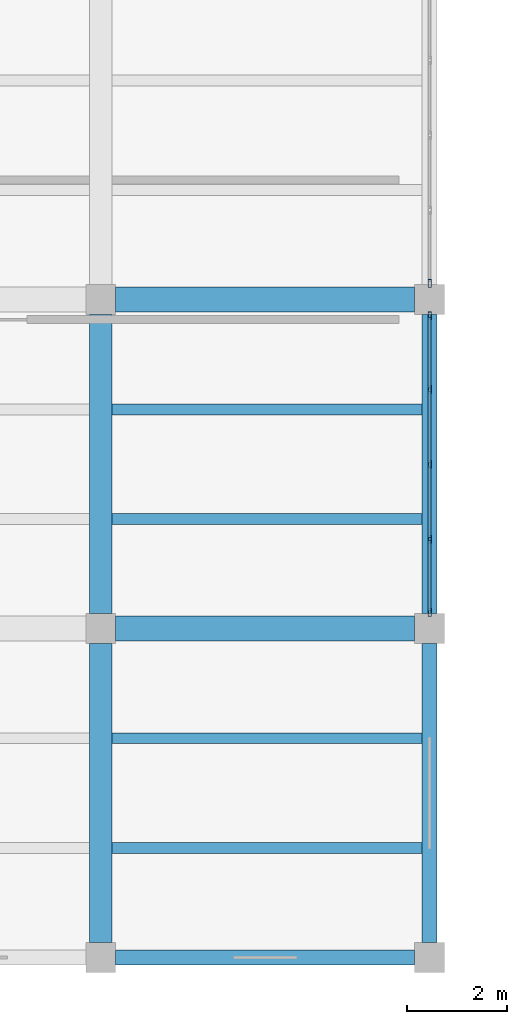
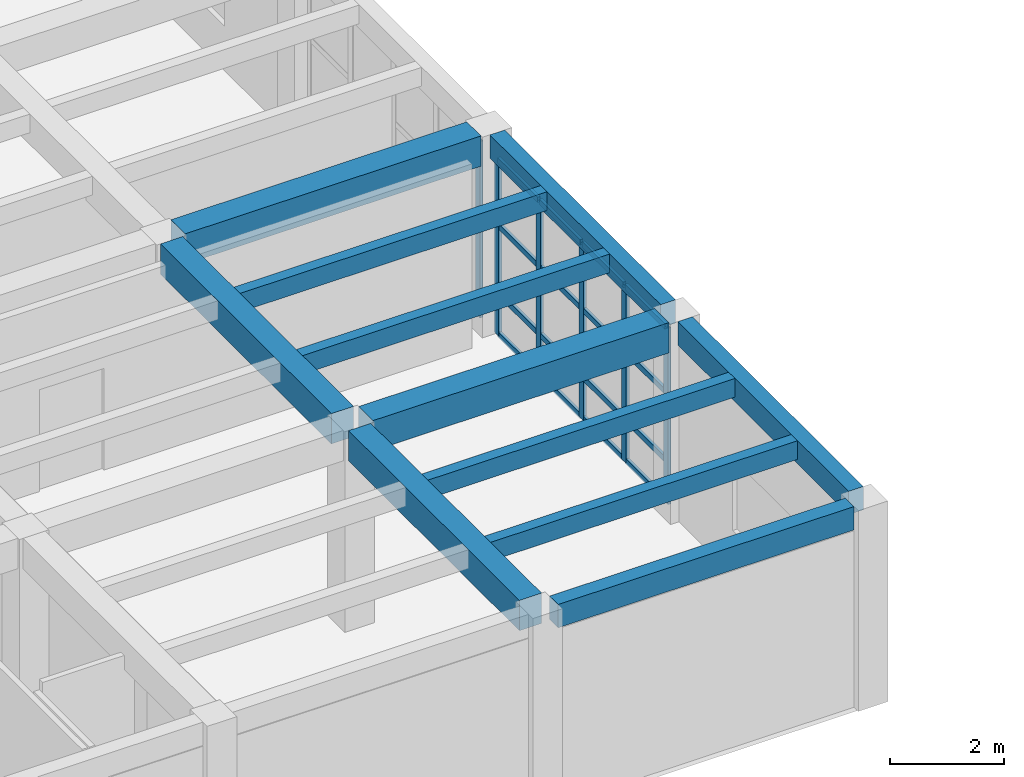
# One storey, part 15 of 80: 22 members, 11 beams, 2 elements without a shape of their own.
"""IFC4 building model written with IfcOpenShell, lengths in metres."""

from ifc_helpers import new_model, si_unit, direction, frame, origin, origin_2d, place, context, subcontext, project, spatial, rectangle, hollow_rectangle, extrude, material, layer, layer_set, material_profile, profile_set, type_object, element, aggregate, save


model = new_model("IFC4")

# Units and contexts
model_context = context("Model", 3, precision=1e-05, world=origin(), true_north=direction((0.0, 1.0)))
body_context = subcontext(model_context, "Body", "Model", "MODEL_VIEW")
ifc_project = project(units=[si_unit("LENGTHUNIT", "METRE"), si_unit("AREAUNIT", "SQUARE_METRE"), si_unit("VOLUMEUNIT", "CUBIC_METRE"), si_unit("PLANEANGLEUNIT", "RADIAN"), si_unit("MASSUNIT", "GRAM", prefix="KILO")], contexts=[model_context])

# Site, building, storey
site_placement = place(None, origin())
site = spatial("IfcSite", under=ifc_project, at=site_placement, CompositionType="ELEMENT")
building_placement = place(site_placement, origin())
building = spatial("IfcBuilding", under=site, at=building_placement, Name="Kharisveld Research Institute", CompositionType="ELEMENT")
storey_placement = place(building_placement, frame((0.0, 0.0, 5.10009765625)))
storey = spatial("IfcBuildingStorey", under=building, at=storey_placement, Name="L01", CompositionType="ELEMENT", Elevation=5.10009765625)

# Beams
ifc_material_1 = material(Name="Concrete C40/50", Category="concrete")
ifc_material_profile_1 = material_profile(ifc_material_1, rectangle(XDim=0.449951171875, YDim=0.64990234375, at=origin_2d()))
ifc_profile_set_1 = profile_set([ifc_material_profile_1], Name="Concrete C40/50")
beam_type_1 = type_object("IfcBeamType", Name="BM_RC_450x650", PredefinedType="BEAM", material=ifc_profile_set_1)
for number, where, z_axis, x_axis, name in (
    (1, (33.60009765625, 0.5, 3.974853515625), (0.0, 1.0, 0.0), (-1.0, 0.0, 0.0), "BM:V3:L01:V5_0"),
    (2, (33.60009765625, 7.10009765625, 3.974853515625), (0.0, 1.0, 0.0), (-1.0, 0.0, 0.0), "BM:V3:L01:V5_1"),
):
    element("IfcBeam", number, at=place(storey_placement, frame(where, z_axis=z_axis, x_axis=x_axis)), inside=storey, type_object=beam_type_1, Name=name, PredefinedType="BEAM", context=body_context, shape_type="SweptSolid", body=[
        extrude(rectangle(XDim=0.449951171875, YDim=0.64990234375, at=origin_2d()), origin(), (0.0, 0.0, 1.0), 6.0),
    ])
ifc_material_2 = material(Name="Concrete C40/50", Category="concrete")
ifc_material_profile_2 = material_profile(ifc_material_2, rectangle(XDim=0.5, YDim=0.64990234375, at=origin_2d()))
ifc_profile_set_2 = profile_set([ifc_material_profile_2], Name="Concrete C40/50")
beam_type_2 = type_object("IfcBeamType", Name="BM_RC_500x650", PredefinedType="BEAM", material=ifc_profile_set_2)
for number, where, z_axis, x_axis, name in (
    (3, (33.89990234375, 6.800048828125, 3.974853515625), (1.0, 0.0, 0.0), (0.0, 1.0, 0.0), "BM:V3:L01:U5_1"),
    (4, (33.89990234375, 13.39990234375, 3.974853515625), (1.0, 0.0, 0.0), (0.0, 1.0, 0.0), "BM:V3:L01:U5_2"),
):
    element("IfcBeam", number, at=place(storey_placement, frame(where, z_axis=z_axis, x_axis=x_axis)), inside=storey, type_object=beam_type_2, Name=name, PredefinedType="BEAM", context=body_context, shape_type="SweptSolid", body=[
        extrude(rectangle(XDim=0.5, YDim=0.64990234375, at=origin_2d()), origin(), (0.0, 0.0, 1.0), 6.0),
    ])

# Curtain wall, member
ifc_material_3 = material(Name="Thermally Broken Aluminium Curtain Wall", Category="aluminium")
ifc_layer_1 = layer(ifc_material_3, 0.159912109375)
ifc_layer_set_1 = layer_set([ifc_layer_1], Name="CW_SYS_03")
curtain_wall_type_1 = type_object("IfcCurtainWallType", Name="CW_SYS_03", PredefinedType="NOTDEFINED", material=ifc_layer_set_1)
curtain_wall_1_placement = place(storey_placement, origin())
curtain_wall_1 = element("IfcCurtainWall", 5, at=curtain_wall_1_placement, inside=storey, type_object=curtain_wall_type_1, Name="CW:V3:L01:E3", PredefinedType="NOTDEFINED")
ifc_material_4 = material(Name="Anodised Aluminium AW-6063-T6", Category="aluminium")
ifc_material_profile_3 = material_profile(ifc_material_4, hollow_rectangle(XDim=0.06494140625, YDim=0.159912109375, WallThickness=0.00390625, at=origin_2d()))
ifc_profile_set_3 = profile_set([ifc_material_profile_3], Name="Anodised Aluminium AW-6063-T6")
member_type_1 = type_object("IfcMemberType", Name="CW_MUL_160", PredefinedType="MULLION", material=ifc_profile_set_3)
member_1_placement = place(storey_placement, frame((40.199951171875, 13.7275390625, 0.0), z_axis=(0.0, 0.0, 1.0), x_axis=(1.0, 0.0, 0.0)))
member_1 = element("IfcMember", 6, at=member_1_placement, type_object=member_type_1, Name="CW-03 mullion 5", PredefinedType="MULLION", context=body_context, shape_type="SweptSolid", body=[
    extrude(hollow_rectangle(XDim=0.06494140625, YDim=0.159912109375, WallThickness=0.00390625, at=origin_2d()), origin(), (0.0, 0.0, 1.0), 3.77978515625),
])
aggregate(curtain_wall_1, [member_1])

# Curtain wall, members
ifc_material_5 = material(Name="Thermally Broken Aluminium Curtain Wall", Category="aluminium")
ifc_layer_2 = layer(ifc_material_5, 0.159912109375)
ifc_layer_set_2 = layer_set([ifc_layer_2], Name="CW_SYS_04")
curtain_wall_type_2 = type_object("IfcCurtainWallType", Name="CW_SYS_04", PredefinedType="NOTDEFINED", material=ifc_layer_set_2)
curtain_wall_2_placement = place(storey_placement, origin())
curtain_wall_2 = element("IfcCurtainWall", 7, at=curtain_wall_2_placement, inside=storey, type_object=curtain_wall_type_2, Name="CW:V3:L01:E2", PredefinedType="NOTDEFINED")
member_2_placement = place(storey_placement, frame((40.199951171875, 13.072509765625, 0.0), z_axis=(0.0, 0.0, 1.0), x_axis=(1.0, 0.0, 0.0)))
member_2 = element("IfcMember", 8, at=member_2_placement, type_object=member_type_1, Name="CW-04 mullion 1", PredefinedType="MULLION", context=body_context, shape_type="SweptSolid", body=[
    extrude(hollow_rectangle(XDim=0.06494140625, YDim=0.159912109375, WallThickness=0.00390625, at=origin_2d()), origin(), (0.0, 0.0, 1.0), 3.77978515625),
])
member_3_placement = place(storey_placement, frame((40.199951171875, 11.6025390625, 0.0), z_axis=(0.0, 0.0, 1.0), x_axis=(1.0, 0.0, 0.0)))
member_3 = element("IfcMember", 9, at=member_3_placement, type_object=member_type_1, Name="CW-04 mullion 2", PredefinedType="MULLION", context=body_context, shape_type="SweptSolid", body=[
    extrude(hollow_rectangle(XDim=0.06494140625, YDim=0.159912109375, WallThickness=0.00390625, at=origin_2d()), origin(), (0.0, 0.0, 1.0), 3.77978515625),
])
member_4_placement = place(storey_placement, frame((40.199951171875, 10.10009765625, 0.0), z_axis=(0.0, 0.0, 1.0), x_axis=(1.0, 0.0, 0.0)))
member_4 = element("IfcMember", 10, at=member_4_placement, type_object=member_type_1, Name="CW-04 mullion 3", PredefinedType="MULLION", context=body_context, shape_type="SweptSolid", body=[
    extrude(hollow_rectangle(XDim=0.06494140625, YDim=0.159912109375, WallThickness=0.00390625, at=origin_2d()), origin(), (0.0, 0.0, 1.0), 3.77978515625),
])
member_5_placement = place(storey_placement, frame((40.199951171875, 8.597412109375, 0.0), z_axis=(0.0, 0.0, 1.0), x_axis=(1.0, 0.0, 0.0)))
member_5 = element("IfcMember", 11, at=member_5_placement, type_object=member_type_1, Name="CW-04 mullion 4", PredefinedType="MULLION", context=body_context, shape_type="SweptSolid", body=[
    extrude(hollow_rectangle(XDim=0.06494140625, YDim=0.159912109375, WallThickness=0.00390625, at=origin_2d()), origin(), (0.0, 0.0, 1.0), 3.77978515625),
])
member_6_placement = place(storey_placement, frame((40.199951171875, 7.12744140625, 0.0), z_axis=(0.0, 0.0, 1.0), x_axis=(1.0, 0.0, 0.0)))
member_6 = element("IfcMember", 12, at=member_6_placement, type_object=member_type_1, Name="CW-04 mullion 5", PredefinedType="MULLION", context=body_context, shape_type="SweptSolid", body=[
    extrude(hollow_rectangle(XDim=0.06494140625, YDim=0.159912109375, WallThickness=0.00390625, at=origin_2d()), origin(), (0.0, 0.0, 1.0), 3.77978515625),
])
ifc_material_6 = material(Name="Anodised Aluminium AW-6063-T6", Category="aluminium")
ifc_material_profile_4 = material_profile(ifc_material_6, hollow_rectangle(XDim=0.06005859375, YDim=0.1201171875, WallThickness=0.00390625, at=origin_2d()))
ifc_profile_set_4 = profile_set([ifc_material_profile_4], Name="Anodised Aluminium AW-6063-T6")
member_type_2 = type_object("IfcMemberType", Name="CW_TRN_120", PredefinedType="USERDEFINED", material=ifc_profile_set_4)
member_7_placement = place(storey_placement, frame((40.199951171875, 13.0400390625, 0.02978515625), z_axis=(0.0, -1.0, 0.0), x_axis=(1.0, 0.0, 0.0)))
member_7 = element("IfcMember", 13, at=member_7_placement, type_object=member_type_2, Name="CW-04 transom 1.1", ObjectType="TRANSOM", PredefinedType="USERDEFINED", context=body_context, shape_type="SweptSolid", body=[
    extrude(hollow_rectangle(XDim=0.06005859375, YDim=0.1201171875, WallThickness=0.00390625, at=origin_2d()), origin(), (0.0, 0.0, 1.0), 1.405029296875),
])
member_8_placement = place(storey_placement, frame((40.199951171875, 13.0400390625, 0.89990234375), z_axis=(0.0, -1.0, 0.0), x_axis=(1.0, 0.0, 0.0)))
member_8 = element("IfcMember", 14, at=member_8_placement, type_object=member_type_2, Name="CW-04 transom 1.2", ObjectType="TRANSOM", PredefinedType="USERDEFINED", context=body_context, shape_type="SweptSolid", body=[
    extrude(hollow_rectangle(XDim=0.06005859375, YDim=0.1201171875, WallThickness=0.00390625, at=origin_2d()), origin(), (0.0, 0.0, 1.0), 1.405029296875),
])
member_9_placement = place(storey_placement, frame((40.199951171875, 13.0400390625, 2.349853515625), z_axis=(0.0, -1.0, 0.0), x_axis=(1.0, 0.0, 0.0)))
member_9 = element("IfcMember", 15, at=member_9_placement, type_object=member_type_2, Name="CW-04 transom 1.3", ObjectType="TRANSOM", PredefinedType="USERDEFINED", context=body_context, shape_type="SweptSolid", body=[
    extrude(hollow_rectangle(XDim=0.06005859375, YDim=0.1201171875, WallThickness=0.00390625, at=origin_2d()), origin(), (0.0, 0.0, 1.0), 1.405029296875),
])
member_10_placement = place(storey_placement, frame((40.199951171875, 13.0400390625, 3.75), z_axis=(0.0, -1.0, 0.0), x_axis=(1.0, 0.0, 0.0)))
member_10 = element("IfcMember", 16, at=member_10_placement, type_object=member_type_2, Name="CW-04 transom 1.4", ObjectType="TRANSOM", PredefinedType="USERDEFINED", context=body_context, shape_type="SweptSolid", body=[
    extrude(hollow_rectangle(XDim=0.06005859375, YDim=0.1201171875, WallThickness=0.00390625, at=origin_2d()), origin(), (0.0, 0.0, 1.0), 1.405029296875),
])
member_11_placement = place(storey_placement, frame((40.199951171875, 11.570068359375, 0.02978515625), z_axis=(0.0, -1.0, 0.0), x_axis=(1.0, 0.0, 0.0)))
member_11 = element("IfcMember", 17, at=member_11_placement, type_object=member_type_2, Name="CW-04 transom 2.1", ObjectType="TRANSOM", PredefinedType="USERDEFINED", context=body_context, shape_type="SweptSolid", body=[
    extrude(hollow_rectangle(XDim=0.06005859375, YDim=0.1201171875, WallThickness=0.00390625, at=origin_2d()), origin(), (0.0, 0.0, 1.0), 1.4375),
])
member_12_placement = place(storey_placement, frame((40.199951171875, 11.570068359375, 0.89990234375), z_axis=(0.0, -1.0, 0.0), x_axis=(1.0, 0.0, 0.0)))
member_12 = element("IfcMember", 18, at=member_12_placement, type_object=member_type_2, Name="CW-04 transom 2.2", ObjectType="TRANSOM", PredefinedType="USERDEFINED", context=body_context, shape_type="SweptSolid", body=[
    extrude(hollow_rectangle(XDim=0.06005859375, YDim=0.1201171875, WallThickness=0.00390625, at=origin_2d()), origin(), (0.0, 0.0, 1.0), 1.4375),
])
member_13_placement = place(storey_placement, frame((40.199951171875, 11.570068359375, 2.349853515625), z_axis=(0.0, -1.0, 0.0), x_axis=(1.0, 0.0, 0.0)))
member_13 = element("IfcMember", 19, at=member_13_placement, type_object=member_type_2, Name="CW-04 transom 2.3", ObjectType="TRANSOM", PredefinedType="USERDEFINED", context=body_context, shape_type="SweptSolid", body=[
    extrude(hollow_rectangle(XDim=0.06005859375, YDim=0.1201171875, WallThickness=0.00390625, at=origin_2d()), origin(), (0.0, 0.0, 1.0), 1.4375),
])
member_14_placement = place(storey_placement, frame((40.199951171875, 11.570068359375, 3.75), z_axis=(0.0, -1.0, 0.0), x_axis=(1.0, 0.0, 0.0)))
member_14 = element("IfcMember", 20, at=member_14_placement, type_object=member_type_2, Name="CW-04 transom 2.4", ObjectType="TRANSOM", PredefinedType="USERDEFINED", context=body_context, shape_type="SweptSolid", body=[
    extrude(hollow_rectangle(XDim=0.06005859375, YDim=0.1201171875, WallThickness=0.00390625, at=origin_2d()), origin(), (0.0, 0.0, 1.0), 1.4375),
])
member_15_placement = place(storey_placement, frame((40.199951171875, 10.0673828125, 0.02978515625), z_axis=(0.0, -1.0, 0.0), x_axis=(1.0, 0.0, 0.0)))
member_15 = element("IfcMember", 21, at=member_15_placement, type_object=member_type_2, Name="CW-04 transom 3.1", ObjectType="TRANSOM", PredefinedType="USERDEFINED", context=body_context, shape_type="SweptSolid", body=[
    extrude(hollow_rectangle(XDim=0.06005859375, YDim=0.1201171875, WallThickness=0.00390625, at=origin_2d()), origin(), (0.0, 0.0, 1.0), 1.4375),
])
member_16_placement = place(storey_placement, frame((40.199951171875, 10.0673828125, 0.89990234375), z_axis=(0.0, -1.0, 0.0), x_axis=(1.0, 0.0, 0.0)))
member_16 = element("IfcMember", 22, at=member_16_placement, type_object=member_type_2, Name="CW-04 transom 3.2", ObjectType="TRANSOM", PredefinedType="USERDEFINED", context=body_context, shape_type="SweptSolid", body=[
    extrude(hollow_rectangle(XDim=0.06005859375, YDim=0.1201171875, WallThickness=0.00390625, at=origin_2d()), origin(), (0.0, 0.0, 1.0), 1.4375),
])
member_17_placement = place(storey_placement, frame((40.199951171875, 10.0673828125, 2.349853515625), z_axis=(0.0, -1.0, 0.0), x_axis=(1.0, 0.0, 0.0)))
member_17 = element("IfcMember", 23, at=member_17_placement, type_object=member_type_2, Name="CW-04 transom 3.3", ObjectType="TRANSOM", PredefinedType="USERDEFINED", context=body_context, shape_type="SweptSolid", body=[
    extrude(hollow_rectangle(XDim=0.06005859375, YDim=0.1201171875, WallThickness=0.00390625, at=origin_2d()), origin(), (0.0, 0.0, 1.0), 1.4375),
])
member_18_placement = place(storey_placement, frame((40.199951171875, 10.0673828125, 3.75), z_axis=(0.0, -1.0, 0.0), x_axis=(1.0, 0.0, 0.0)))
member_18 = element("IfcMember", 24, at=member_18_placement, type_object=member_type_2, Name="CW-04 transom 3.4", ObjectType="TRANSOM", PredefinedType="USERDEFINED", context=body_context, shape_type="SweptSolid", body=[
    extrude(hollow_rectangle(XDim=0.06005859375, YDim=0.1201171875, WallThickness=0.00390625, at=origin_2d()), origin(), (0.0, 0.0, 1.0), 1.4375),
])
member_19_placement = place(storey_placement, frame((40.199951171875, 8.56494140625, 0.02978515625), z_axis=(0.0, -1.0, 0.0), x_axis=(1.0, 0.0, 0.0)))
member_19 = element("IfcMember", 25, at=member_19_placement, type_object=member_type_2, Name="CW-04 transom 4.1", ObjectType="TRANSOM", PredefinedType="USERDEFINED", context=body_context, shape_type="SweptSolid", body=[
    extrude(hollow_rectangle(XDim=0.06005859375, YDim=0.1201171875, WallThickness=0.00390625, at=origin_2d()), origin(), (0.0, 0.0, 1.0), 1.405029296875),
])
member_20_placement = place(storey_placement, frame((40.199951171875, 8.56494140625, 0.89990234375), z_axis=(0.0, -1.0, 0.0), x_axis=(1.0, 0.0, 0.0)))
member_20 = element("IfcMember", 26, at=member_20_placement, type_object=member_type_2, Name="CW-04 transom 4.2", ObjectType="TRANSOM", PredefinedType="USERDEFINED", context=body_context, shape_type="SweptSolid", body=[
    extrude(hollow_rectangle(XDim=0.06005859375, YDim=0.1201171875, WallThickness=0.00390625, at=origin_2d()), origin(), (0.0, 0.0, 1.0), 1.405029296875),
])
member_21_placement = place(storey_placement, frame((40.199951171875, 8.56494140625, 2.349853515625), z_axis=(0.0, -1.0, 0.0), x_axis=(1.0, 0.0, 0.0)))
member_21 = element("IfcMember", 27, at=member_21_placement, type_object=member_type_2, Name="CW-04 transom 4.3", ObjectType="TRANSOM", PredefinedType="USERDEFINED", context=body_context, shape_type="SweptSolid", body=[
    extrude(hollow_rectangle(XDim=0.06005859375, YDim=0.1201171875, WallThickness=0.00390625, at=origin_2d()), origin(), (0.0, 0.0, 1.0), 1.405029296875),
])
member_22_placement = place(storey_placement, frame((40.199951171875, 8.56494140625, 3.75), z_axis=(0.0, -1.0, 0.0), x_axis=(1.0, 0.0, 0.0)))
member_22 = element("IfcMember", 28, at=member_22_placement, type_object=member_type_2, Name="CW-04 transom 4.4", ObjectType="TRANSOM", PredefinedType="USERDEFINED", context=body_context, shape_type="SweptSolid", body=[
    extrude(hollow_rectangle(XDim=0.06005859375, YDim=0.1201171875, WallThickness=0.00390625, at=origin_2d()), origin(), (0.0, 0.0, 1.0), 1.405029296875),
])
aggregate(curtain_wall_2, [member_2, member_3, member_4, member_5, member_6, member_7, member_8, member_9, member_10, member_11, member_12, member_13, member_14, member_15, member_16, member_17, member_18, member_19, member_20, member_21, member_22])

# Beams
ifc_material_7 = material(Name="Concrete C40/50", Category="concrete")
ifc_material_profile_5 = material_profile(ifc_material_7, rectangle(XDim=0.300048828125, YDim=0.5, at=origin_2d()))
ifc_profile_set_5 = profile_set([ifc_material_profile_5], Name="Concrete C40/50")
beam_type_3 = type_object("IfcBeamType", Name="SP_RC_300x500", PredefinedType="SPANDREL", material=ifc_profile_set_5)
for number, where, z_axis, x_axis, name in (
    (29, (33.89990234375, 0.199951171875, 4.0498046875), (1.0, 0.0, 0.0), (0.0, 1.0, 0.0), "BM:V3:L01:U5_0"),
    (30, (40.199951171875, 0.5, 4.0498046875), (0.0, 1.0, 0.0), (-1.0, 0.0, 0.0), "BM:V3:L01:V6_0"),
    (31, (40.199951171875, 7.10009765625, 4.0498046875), (0.0, 1.0, 0.0), (-1.0, 0.0, 0.0), "BM:V3:L01:V6_1"),
):
    element("IfcBeam", number, at=place(storey_placement, frame(where, z_axis=z_axis, x_axis=x_axis)), inside=storey, type_object=beam_type_3, Name=name, PredefinedType="SPANDREL", context=body_context, shape_type="SweptSolid", body=[
        extrude(rectangle(XDim=0.300048828125, YDim=0.5, at=origin_2d()), origin(), (0.0, 0.0, 1.0), 6.0),
    ])
ifc_material_8 = material(Name="Concrete C40/50", Category="concrete")
ifc_material_profile_6 = material_profile(ifc_material_8, rectangle(XDim=0.219970703125, YDim=0.39990234375, at=origin_2d()))
ifc_profile_set_6 = profile_set([ifc_material_profile_6], Name="Concrete C40/50")
beam_type_4 = type_object("IfcBeamType", Name="WB_RC_220x400", PredefinedType="JOIST", material=ifc_profile_set_6)
for number, where, z_axis, x_axis, name in (
    (32, (33.824951171875, 2.39990234375, 4.099853515625), (1.0, 0.0, 0.0), (0.0, 1.0, 0.0), "BM:V3:L01:J_5_0_R1"),
    (33, (33.824951171875, 4.60009765625, 4.099853515625), (1.0, 0.0, 0.0), (0.0, 1.0, 0.0), "BM:V3:L01:J_5_0_R2"),
    (34, (33.824951171875, 9.0, 4.099853515625), (1.0, 0.0, 0.0), (0.0, 1.0, 0.0), "BM:V3:L01:J_5_1_R1"),
    (35, (33.824951171875, 11.199951171875, 4.099853515625), (1.0, 0.0, 0.0), (0.0, 1.0, 0.0), "BM:V3:L01:J_5_1_R2"),
):
    element("IfcBeam", number, at=place(storey_placement, frame(where, z_axis=z_axis, x_axis=x_axis)), inside=storey, type_object=beam_type_4, Name=name, PredefinedType="JOIST", context=body_context, shape_type="SweptSolid", body=[
        extrude(rectangle(XDim=0.219970703125, YDim=0.39990234375, at=origin_2d()), origin(), (0.0, 0.0, 1.0), 6.22509765625),
    ])

save(model, "model.ifc")
